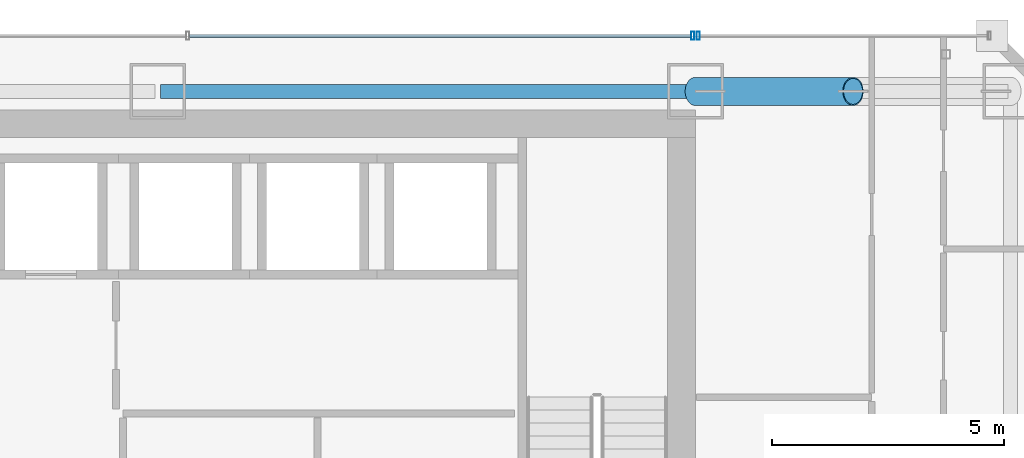
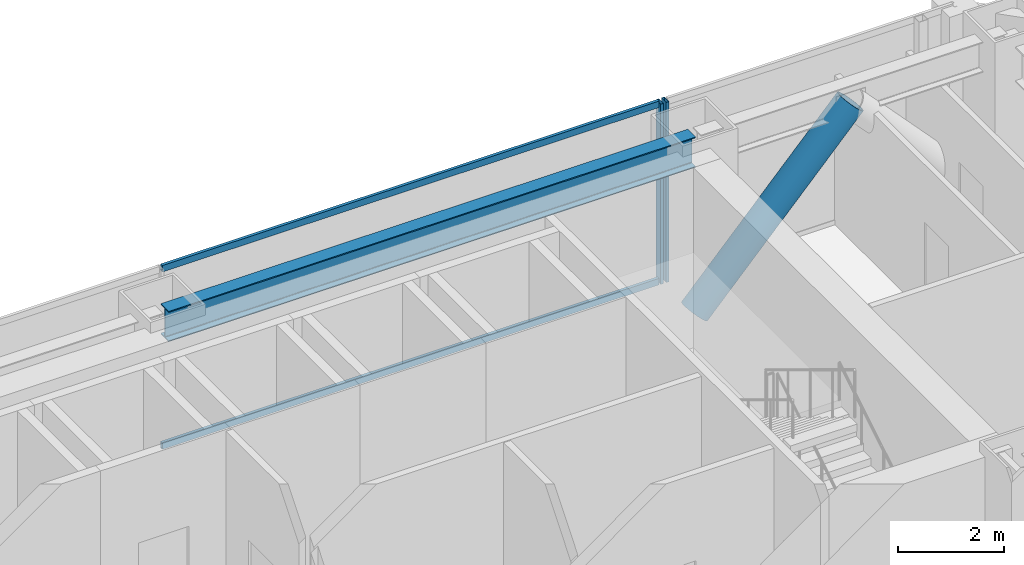
# One storey, part 32 of 47: 5 members, 1 beam, 2 elements without a shape of their own.
"""IFC4 building model written with IfcOpenShell, lengths in metres."""

from ifc_helpers import new_model, si_unit, direction, frame, origin, origin_2d, place, context, subcontext, project, spatial, hollow_rectangle, hollow_circle, i_section, extrude, material, material_profile, profile_set, type_object, element, aggregate, save


model = new_model("IFC4")

# Units and contexts
model_context = context("Model", 3, precision=1e-05, world=origin(), true_north=direction((0.0, 1.0)))
body_context = subcontext(model_context, "Body", "Model", "MODEL_VIEW")
ifc_project = project(units=[si_unit("LENGTHUNIT", "METRE"), si_unit("AREAUNIT", "SQUARE_METRE"), si_unit("VOLUMEUNIT", "CUBIC_METRE"), si_unit("PLANEANGLEUNIT", "RADIAN"), si_unit("MASSUNIT", "GRAM", prefix="KILO")], contexts=[model_context])

# Site, building, storey
site_placement = place(None, origin())
site = spatial("IfcSite", under=ifc_project, at=site_placement, CompositionType="ELEMENT")
building_placement = place(site_placement, origin())
building = spatial("IfcBuilding", under=site, at=building_placement, Name="Saevonmaru Cultural Tower", CompositionType="ELEMENT")
storey_placement = place(building_placement, frame((0.0, 0.0, 92.800048828125)))
storey = spatial("IfcBuildingStorey", under=building, at=storey_placement, Name="L19", CompositionType="ELEMENT", Elevation=92.800048828125)

# Beam
ifc_material_1 = material(Name="Steel SM355", Category="steel")
ifc_material_profile_1 = material_profile(ifc_material_1, i_section(OverallWidth=0.300048828125, OverallDepth=0.699951171875, WebThickness=0.012939453125, FlangeThickness=0.02392578125, FilletRadius=0.02587890625, at=origin_2d()), Name="H-700x300x13x24")
ifc_profile_set_1 = profile_set([ifc_material_profile_1], Name="Steel SM355")
beam_type = type_object("IfcBeamType", Name="BM-SP-H700", PredefinedType="SPANDREL", material=ifc_profile_set_1)
beam_placement = place(storey_placement, frame((34.860107421875, 54.800048828125, 3.800048828125), z_axis=(1.0, 0.0, 0.0), x_axis=(0.0, 1.0, 0.0)))
element("IfcBeam", 1, at=beam_placement, inside=storey, type_object=beam_type, Name="L19 North Spine Girder 4", PredefinedType="SPANDREL", context=body_context, shape_type="SweptSolid", body=[
    extrude(i_section(OverallWidth=0.300048828125, OverallDepth=0.699951171875, WebThickness=0.012939453125, FlangeThickness=0.02392578125, FilletRadius=0.02587890625, at=origin_2d()), origin(), (0.0, 0.0, 1.0), 11.47998046875),
])

# Member
ifc_material_2 = material(Name="Steel HSA600 (600 MPa)", Category="steel")
ifc_material_profile_2 = material_profile(ifc_material_2, hollow_circle(Radius=0.3046875, WallThickness=0.02490234375, at=origin_2d()), Name="CHS-609.6x25")
ifc_profile_set_2 = profile_set([ifc_material_profile_2], Name="Steel HSA600 (600 MPa)")
member_type_1 = type_object("IfcMemberType", Name="MB-PBR-CHS610", PredefinedType="BRACE", material=ifc_profile_set_2)
member_1_placement = place(storey_placement, frame((46.39990234375, 54.800048828125, 0.02001953125), z_axis=(0.681629141635, 0.0, 0.731697829212), x_axis=(0.0, 1.0, 0.0)))
element("IfcMember", 2, at=member_1_placement, inside=storey, type_object=member_type_1, Name="L19 Perimeter Braced-Tube Diagonal EN1", PredefinedType="BRACE", context=body_context, shape_type="SweptSolid", body=[
    extrude(hollow_circle(Radius=0.3046875, WallThickness=0.02490234375, at=origin_2d()), origin(), (0.0, 0.0, 1.0), 4.98828125),
])

# Curtain wall, member
ifc_material_3 = material(Name="Satin Bronze Anodised Aluminium", Category="aluminium")
curtain_wall_type = type_object("IfcCurtainWallType", Name="CW-TYP-A", PredefinedType="NOTDEFINED", material=ifc_material_3)
curtain_wall_1_placement = place(storey_placement, origin())
curtain_wall_1 = element("IfcCurtainWall", 3, at=curtain_wall_1_placement, inside=storey, type_object=curtain_wall_type, Name="L19 East Braced Bay Spandrel Curtain Wall E10A", PredefinedType="NOTDEFINED")
ifc_material_profile_3 = material_profile(ifc_material_3, hollow_rectangle(XDim=0.06494140625, YDim=0.179931640625, WallThickness=0.00390625, at=origin_2d()), Name="ALU-MULL-180x65x4")
ifc_profile_set_3 = profile_set([ifc_material_profile_3], Name="Satin Bronze Anodised Aluminium")
member_type_2 = type_object("IfcMemberType", Name="ML-CW-180x65", PredefinedType="MULLION", material=ifc_profile_set_3)
member_2_placement = place(storey_placement, frame((46.4599609375, 56.0, 0.0), z_axis=(0.0, 0.0, 1.0), x_axis=(-1.0, 0.0, 0.0)))
member_2 = element("IfcMember", 4, at=member_2_placement, type_object=member_type_2, Name="CW-TW-L19-E10A mullion 2", PredefinedType="MULLION", context=body_context, shape_type="SweptSolid", body=[
    extrude(hollow_rectangle(XDim=0.06494140625, YDim=0.179931640625, WallThickness=0.00390625, at=origin_2d()), origin(), (0.0, 0.0, 1.0), 4.14990234375),
])
aggregate(curtain_wall_1, [member_2])

# Curtain wall, members
curtain_wall_2_placement = place(storey_placement, origin())
curtain_wall_2 = element("IfcCurtainWall", 5, at=curtain_wall_2_placement, inside=storey, type_object=curtain_wall_type, Name="L19 North Spine Unitised Curtain Wall E10B", PredefinedType="NOTDEFINED")
member_3_placement = place(storey_placement, frame((46.340087890625, 56.0, 0.0), z_axis=(0.0, 0.0, 1.0), x_axis=(-1.0, 0.0, 0.0)))
member_3 = element("IfcMember", 6, at=member_3_placement, type_object=member_type_2, Name="CW-TW-L19-E10B mullion 1", PredefinedType="MULLION", context=body_context, shape_type="SweptSolid", body=[
    extrude(hollow_rectangle(XDim=0.06494140625, YDim=0.179931640625, WallThickness=0.00390625, at=origin_2d()), origin(), (0.0, 0.0, 1.0), 4.14990234375),
])
ifc_material_profile_4 = material_profile(ifc_material_3, hollow_rectangle(XDim=0.06494140625, YDim=0.14990234375, WallThickness=0.00390625, at=origin_2d()), Name="ALU-TRAN-150x65x4")
ifc_profile_set_4 = profile_set([ifc_material_profile_4], Name="Satin Bronze Anodised Aluminium")
member_type_3 = type_object("IfcMemberType", Name="TR-CW-150x65", PredefinedType="USERDEFINED", material=ifc_profile_set_4)
member_4_placement = place(storey_placement, frame((46.3076171875, 56.0, 0.032470703125), z_axis=(-1.0, 0.0, 0.0), x_axis=(0.0, -1.0, 0.0)))
member_4 = element("IfcMember", 7, at=member_4_placement, type_object=member_type_3, Name="CW-TW-L19-E10B transom 1.1", ObjectType="TRANSOM", PredefinedType="USERDEFINED", context=body_context, shape_type="SweptSolid", body=[
    extrude(hollow_rectangle(XDim=0.06494140625, YDim=0.14990234375, WallThickness=0.00390625, at=origin_2d()), origin(), (0.0, 0.0, 1.0), 10.828369140625),
])
member_5_placement = place(storey_placement, frame((46.3076171875, 56.0, 4.117431640625), z_axis=(-1.0, 0.0, 0.0), x_axis=(0.0, -1.0, 0.0)))
member_5 = element("IfcMember", 8, at=member_5_placement, type_object=member_type_3, Name="CW-TW-L19-E10B transom 1.2", ObjectType="TRANSOM", PredefinedType="USERDEFINED", context=body_context, shape_type="SweptSolid", body=[
    extrude(hollow_rectangle(XDim=0.06494140625, YDim=0.14990234375, WallThickness=0.00390625, at=origin_2d()), origin(), (0.0, 0.0, 1.0), 10.828369140625),
])
aggregate(curtain_wall_2, [member_3, member_4, member_5])

save(model, "model.ifc")
